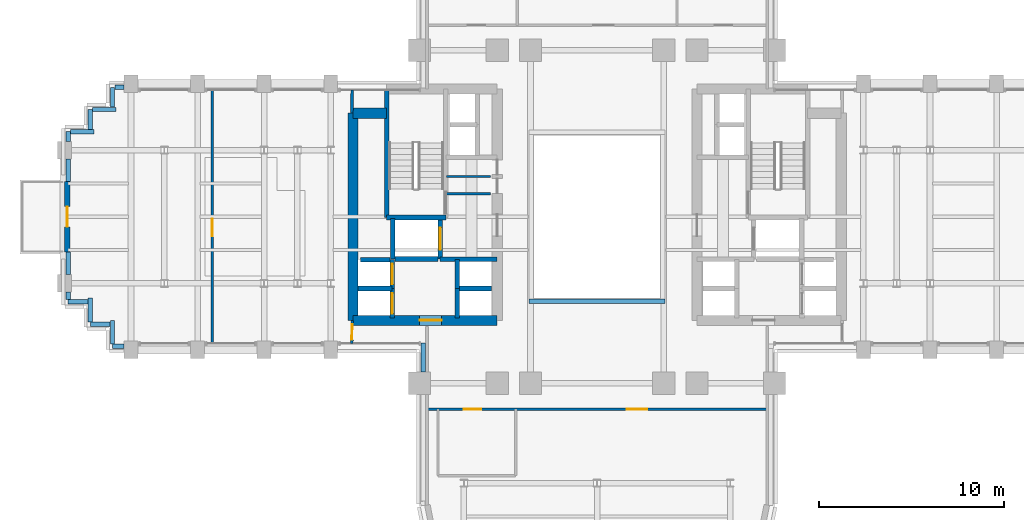
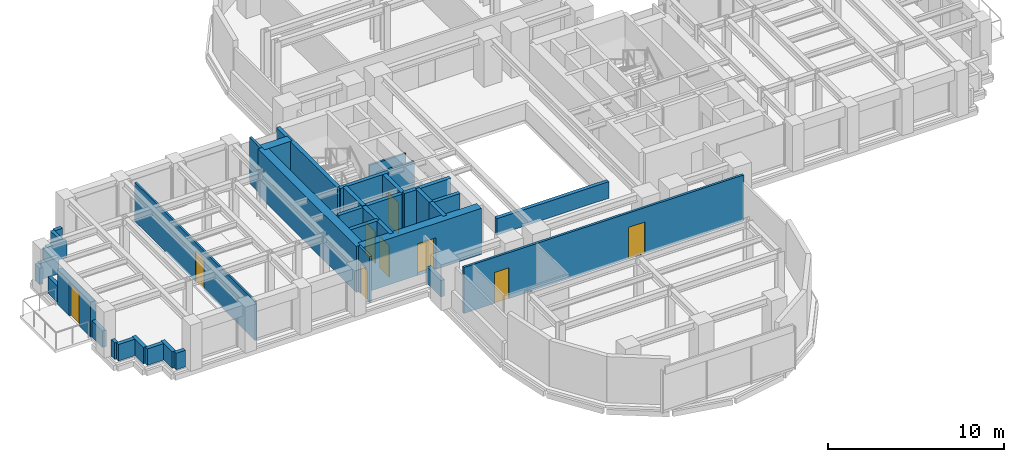
# One storey, part 10 of 15: 39 walls, 9 doors, 9 openings.
"""IFC4 building model written with IfcOpenShell, lengths in metres."""

import ifcopenshell
import ifcopenshell.guid

model = None  # the IFC model being written
_history = None  # IfcOwnerHistory: only IFC2X3 demands one
_inside = {}  # id of a spatial element -> (the spatial element, [elements in it])
_under = {}  # id of a project, library or spatial element -> (it, [spatial elements below it])
_declared = {}  # id of a project -> (the project, [libraries it declares])
_typed = {}  # id of a type object -> (the type object, [elements of that type])
_made_of = {}  # id of a material, layer set ... -> (it, [elements and type objects made of it])


def new_model(schema):
    """Start an empty IFC model of exactly this schema.

    Asked for "IFC4X3", IfcOpenShell would pick the latest addendum, in which some entities
    have other attributes; the version numbers below select the first issue.
    IFC2X3 requires an IfcOwnerHistory on every rooted entity: one is made here for all.
    """
    global model, _history
    if schema == "IFC4X3":
        model = ifcopenshell.file(schema_version=(4, 3, 0, 0))
    else:
        model = ifcopenshell.file(schema=schema)
    _inside.clear()
    _under.clear()
    _declared.clear()
    _typed.clear()
    _made_of.clear()
    _history = None
    if model.schema == "IFC2X3":
        org = make("IfcOrganization", Name="unknown")
        user = make(
            "IfcPersonAndOrganization",
            ThePerson=make("IfcPerson", FamilyName="unknown"),
            TheOrganization=org,
        )
        app = make(
            "IfcApplication",
            ApplicationDeveloper=org,
            Version="unknown",
            ApplicationFullName="unknown",
            ApplicationIdentifier="unknown",
        )
        _history = make(
            "IfcOwnerHistory",
            OwningUser=user,
            OwningApplication=app,
            ChangeAction="ADDED",
            CreationDate=0,
        )
    return model


def make(cls, **values):
    """One entity of the class cls with the attributes given. An attribute that is None is left unset."""
    return model.create_entity(
        cls, **{name: value for name, value in values.items() if value is not None}
    )


def rooted(cls, **values):
    """An entity with a GlobalId (a new one), such as an element, a storey or a relation."""
    return make(cls, GlobalId=ifcopenshell.guid.new(), OwnerHistory=_history, **values)


def si_unit(unit_type, name, prefix=None):
    """IfcSIUnit, for example si_unit("LENGTHUNIT", "METRE", prefix="MILLI")."""
    return make("IfcSIUnit", UnitType=unit_type, Prefix=prefix, Name=name)


def assignment(units):
    """IfcUnitAssignment: the units of a project."""
    return None if units is None else make("IfcUnitAssignment", Units=units)


def point(xyz):
    """IfcCartesianPoint."""
    return None if xyz is None else make("IfcCartesianPoint", Coordinates=xyz)


def direction(xyz):
    """IfcDirection."""
    return None if xyz is None else make("IfcDirection", DirectionRatios=xyz)


def frame(location, z_axis=None, x_axis=None):
    """IfcAxis2Placement3D, a coordinate frame: its origin and axes. An axis left out is left unset."""
    return make(
        "IfcAxis2Placement3D",
        Location=point(location),
        Axis=direction(z_axis),
        RefDirection=direction(x_axis),
    )


def frame_2d(location, x_axis=None):
    """IfcAxis2Placement2D, a coordinate frame in the plane: its origin and x axis."""
    return make(
        "IfcAxis2Placement2D", Location=point(location), RefDirection=direction(x_axis)
    )


def origin():
    """The frame at (0, 0, 0) with its axes left unset."""
    return frame((0.0, 0.0, 0.0))


def place(relative_to, where):
    """IfcLocalPlacement: puts the frame where relative to a parent placement (None: the world)."""
    return make(
        "IfcLocalPlacement", PlacementRelTo=relative_to, RelativePlacement=where
    )


def context(
    kind, dimensions, precision=None, world=None, true_north=None, identifier=None
):
    """IfcGeometricRepresentationContext, for example the 3D "Model" context."""
    return make(
        "IfcGeometricRepresentationContext",
        ContextIdentifier=identifier,
        ContextType=kind,
        CoordinateSpaceDimension=dimensions,
        Precision=precision,
        WorldCoordinateSystem=world,
        TrueNorth=true_north,
    )


def subcontext(parent, identifier, kind, view, scale=None):
    """IfcGeometricRepresentationSubContext, for example "Body" below "Model"."""
    return make(
        "IfcGeometricRepresentationSubContext",
        ContextIdentifier=identifier,
        ContextType=kind,
        ParentContext=parent,
        TargetScale=scale,
        TargetView=view,
    )


def project(units=None, contexts=None):
    """IfcProject with its units and contexts."""
    return rooted(
        "IfcProject",
        Name="project",
        RepresentationContexts=contexts,
        UnitsInContext=assignment(units),
    )


def spatial(cls, under=None, at=None, **own):
    """A site, building, storey or space (cls), placed at a placement, below another one or the project."""
    s = rooted(cls, ObjectPlacement=at, **own)
    if under is not None:
        _under.setdefault(under.id(), (under, []))[1].append(s)
    return s


def profile(cls, at=None, kind="AREA", **sizes):
    """A parametric profile (cls). Its sizes go by their IFC names, for example OverallWidth=200.0."""
    return make(cls, ProfileType=kind, Position=at, **sizes)


def rectangle(**sizes):
    """IfcRectangleProfileDef."""
    return profile("IfcRectangleProfileDef", **sizes)


def extrude(swept, where, along, depth):
    """IfcExtrudedAreaSolid: the profile swept, set in the frame where, extruded along a direction by depth."""
    return make(
        "IfcExtrudedAreaSolid",
        SweptArea=swept,
        Position=where,
        ExtrudedDirection=direction(along),
        Depth=depth,
    )


def shape(context_of_items, identifier, shape_type, items):
    """IfcShapeRepresentation: the items that make up one representation, for example the "Body"."""
    return make(
        "IfcShapeRepresentation",
        ContextOfItems=context_of_items,
        RepresentationIdentifier=identifier,
        RepresentationType=shape_type,
        Items=items,
    )


def source(mapping_origin, context_of_items, identifier, shape_type, items):
    """IfcRepresentationMap: a shape defined once, which mapped items show again and again."""
    return make(
        "IfcRepresentationMap",
        MappingOrigin=mapping_origin,
        MappedRepresentation=shape(context_of_items, identifier, shape_type, items),
    )


def transform(
    local_origin,
    x_axis=None,
    y_axis=None,
    z_axis=None,
    scale=None,
    scale2=None,
    scale3=None,
    uniform=True,
):
    """IfcCartesianTransformationOperator3D, or its non-uniform kind. x_axis, y_axis, z_axis: its Axis1, 2, 3."""
    if uniform:
        return make(
            "IfcCartesianTransformationOperator3D",
            Axis1=direction(x_axis),
            Axis2=direction(y_axis),
            LocalOrigin=point(local_origin),
            Scale=scale,
            Axis3=direction(z_axis),
        )
    return make(
        "IfcCartesianTransformationOperator3DnonUniform",
        Axis1=direction(x_axis),
        Axis2=direction(y_axis),
        LocalOrigin=point(local_origin),
        Scale=scale,
        Axis3=direction(z_axis),
        Scale2=scale2,
        Scale3=scale3,
    )


def mapped(mapping_source, mapping_target):
    """IfcMappedItem: shows the shape of a source again, moved by a transform."""
    return make(
        "IfcMappedItem", MappingSource=mapping_source, MappingTarget=mapping_target
    )


def material(Name=None, Category=None):
    """IfcMaterial."""
    return make("IfcMaterial", Name=Name, Category=Category)


def layer(
    of_material, thickness, ventilated=None, Name=None, Category=None, Priority=None
):
    """IfcMaterialLayer: one layer of a wall or slab, of a material (None: an air gap)."""
    return make(
        "IfcMaterialLayer",
        Material=of_material,
        LayerThickness=thickness,
        IsVentilated=ventilated,
        Name=Name,
        Category=Category,
        Priority=Priority,
    )


def layer_set(layers, Name=None):
    """IfcMaterialLayerSet."""
    return make("IfcMaterialLayerSet", MaterialLayers=layers, LayerSetName=Name)


def made_of(thing, what):
    """Note that an element or type object is made of a material, layer set ...; save() writes the relation."""
    if what is not None:
        _made_of.setdefault(what.id(), (what, []))[1].append(thing)
    return thing


def type_object(cls, material=None, **own):
    """A type object (cls), such as IfcWallType, which elements share."""
    return made_of(rooted(cls, **own), material)


def element(
    cls,
    number,
    at=None,
    inside=None,
    cuts=None,
    type_object=None,
    material=None,
    context=None,
    identifier="Body",
    shape_type=None,
    held_by="IfcProductDefinitionShape",
    body=None,
    shapes=None,
    **own,
):
    """One element of the class cls, such as IfcWall. Its Tag is "e" and its number.

    at: its placement. inside: the storey or other place that contains it. cuts: it is an
    opening in that element (IfcRelVoidsElement). A single representation is given by context,
    identifier, shape_type and body (its items); several are given by shapes. held_by: the class
    of the entity that holds the representations. save() writes the other relations.
    """
    e = rooted(cls, Tag="e%d" % number, ObjectPlacement=at, **own)
    if body is not None:
        shapes = [shape(context, identifier, shape_type, body)]
    if shapes is not None:
        e.Representation = make(held_by, Representations=shapes)
    if inside is not None:
        _inside.setdefault(inside.id(), (inside, []))[1].append(e)
    if cuts is not None:
        rooted(
            "IfcRelVoidsElement", RelatingBuildingElement=cuts, RelatedOpeningElement=e
        )
    if type_object is not None:
        _typed.setdefault(type_object.id(), (type_object, []))[1].append(e)
    return made_of(e, material)


def fill(opening, filler):
    """IfcRelFillsElement: the door or window that sits in an opening."""
    return rooted(
        "IfcRelFillsElement",
        RelatingOpeningElement=opening,
        RelatedBuildingElement=filler,
    )


def aggregate(whole, parts):
    """IfcRelAggregates: a whole, such as a stair, and the parts it consists of."""
    return rooted("IfcRelAggregates", RelatingObject=whole, RelatedObjects=parts)


def save(model, path):
    """Write the relations noted so far, then the file.

    IfcRelAggregates (storeys below a building ...), IfcRelContainedInSpatialStructure (elements
    in a storey), IfcRelDefinesByType, IfcRelAssociatesMaterial and IfcRelDeclares: one each for
    every whole, place, type object, material and project.
    """
    for whole, parts in _under.values():
        aggregate(whole, parts)
    for where, things in _inside.values():
        rooted(
            "IfcRelContainedInSpatialStructure",
            RelatedElements=things,
            RelatingStructure=where,
        )
    for kind, things in _typed.values():
        rooted("IfcRelDefinesByType", RelatedObjects=things, RelatingType=kind)
    for what, things in _made_of.values():
        rooted("IfcRelAssociatesMaterial", RelatedObjects=things, RelatingMaterial=what)
    for by, libraries in _declared.values():
        rooted("IfcRelDeclares", RelatingContext=by, RelatedDefinitions=libraries)
    model.write(path)


model = new_model("IFC4")

# Units and contexts
model_context = context("Model", 3, precision=1e-05, world=origin(), true_north=direction((0.0, 1.0)))
body_context = subcontext(model_context, "Body", "Model", "MODEL_VIEW")
ifc_project = project(units=[si_unit("LENGTHUNIT", "METRE"), si_unit("AREAUNIT", "SQUARE_METRE"), si_unit("VOLUMEUNIT", "CUBIC_METRE"), si_unit("PLANEANGLEUNIT", "RADIAN"), si_unit("MASSUNIT", "GRAM", prefix="KILO")], contexts=[model_context])

# Site, building, storey
site_placement = place(None, origin())
site = spatial("IfcSite", under=ifc_project, at=site_placement, CompositionType="ELEMENT")
building_placement = place(site_placement, origin())
building = spatial("IfcBuilding", under=site, at=building_placement, Name="Keilestroom Media Tower", CompositionType="ELEMENT")
storey_placement = place(building_placement, frame((0.0, 0.0, 40.800048828125)))
storey = spatial("IfcBuildingStorey", under=building, at=storey_placement, Name="L09", CompositionType="ELEMENT", Elevation=40.800048828125)

# Wall, opening, door
ifc_material_1 = material(Name="Precast concrete C40/50", Category="concrete")
ifc_layer_1 = layer(ifc_material_1, 0.300048828125)
ifc_layer_set_1 = layer_set([ifc_layer_1], Name="Precast concrete C40/50")
wall_type_1 = type_object("IfcWallType", Name="Exterior-Masonry-Spandrel-Wall-300", PredefinedType="SOLIDWALL", material=ifc_layer_set_1)
wall_1_placement = place(storey_placement, frame((-28.64990234375, -1.89990234375, 0.0), z_axis=(0.0, 0.0, 1.0), x_axis=(0.0, 1.0, 0.0)))
wall_1 = element("IfcWall", 1, at=wall_1_placement, inside=storey, type_object=wall_type_1, Name="L09 Terrace Threshold Wall L09-W", PredefinedType="SOLIDWALL", context=body_context, shape_type="SweptSolid", body=[
    extrude(rectangle(XDim=3.7998046875, YDim=0.300048828125, at=frame_2d((1.89990234375, 0.0))), origin(), (0.0, 0.0, 1.0), 2.449951171875),
])
opening_1_placement = place(wall_1_placement, frame((1.35009765625, 0.0, 0.0)))
opening_1 = element("IfcOpeningElement", 2, at=opening_1_placement, cuts=wall_1, Name="Opening DE-02", PredefinedType="OPENING", context=body_context, shape_type="SweptSolid", body=[
    extrude(rectangle(XDim=1.10009765625, YDim=2.300048828125, at=frame_2d((0.550048828125, 1.14990234375))), frame((0.0, 0.16015625, 0.0), z_axis=(0.0, -1.0, 0.0), x_axis=(1.0, 0.0, 0.0)), (0.0, 0.0, 1.0), 0.320068359375),
])
ifc_material_2 = material(Name="Thermally Broken Aluminium & Laminated Glass", Category="aluminium")
door_type_1 = type_object("IfcDoorType", Name="Exterior-Entrance-And-Terrace-Door-DE-02", OperationType="NOTDEFINED", PredefinedType="DOOR", material=ifc_material_2)
shared_shape_1 = source(origin(), body_context, "Body", "SweptSolid", [
    extrude(rectangle(XDim=1.10009765625, YDim=2.300048828125, at=frame_2d((0.550048828125, 1.14990234375))), frame((0.0, 0.02490234375, 0.0), z_axis=(0.0, -1.0, 0.0), x_axis=(1.0, 0.0, 0.0)), (0.0, 0.0, 1.0), 0.050048828125),
])
door_1_placement = place(opening_1_placement, origin())
door_1 = element("IfcDoor", 3, at=door_1_placement, inside=storey, type_object=door_type_1, Name="L09 Terrace Access Door DE-02 L09-W", OperationType="SINGLE_SWING_LEFT", OverallHeight=2.300048828125, OverallWidth=1.10009765625, PredefinedType="DOOR", context=body_context, shape_type="MappedRepresentation", body=[
    mapped(shared_shape_1, transform((0.0, 0.0, 0.0), x_axis=(1.0, 0.0, 0.0), y_axis=(0.0, 1.0, 0.0), z_axis=(0.0, 0.0, 1.0), scale=1.0)),
])
fill(opening_1, door_1)

# Wall
ifc_material_3 = material(Name="Gypsum Plasterboard & Steel Stud", Category="steel")
ifc_layer_2 = layer(ifc_material_3, 0.1201171875)
ifc_layer_set_2 = layer_set([ifc_layer_2], Name="Gypsum Plasterboard & Steel Stud")
wall_type_2 = type_object("IfcWallType", Name="Interior-Partition-Wall-120", PredefinedType="PARTITIONING", material=ifc_layer_set_2)
wall_2_placement = place(storey_placement, frame((-8.139892578125, 2.179931640625, 0.0), z_axis=(0.0, 0.0, 1.0), x_axis=(1.0, 0.0, 0.0)))
element("IfcWall", 4, at=wall_2_placement, inside=storey, type_object=wall_type_2, Name="L09 Interior Wall WP-L09-CNW-N", PredefinedType="PARTITIONING", context=body_context, shape_type="SweptSolid", body=[
    extrude(rectangle(XDim=2.389892578125, YDim=0.1201171875, at=frame_2d((1.19482421875, 0.0))), origin(), (0.0, 0.0, 1.0), 2.300048828125),
])

# Wall, opening, door
wall_3_placement = place(storey_placement, frame((-20.800048828125, -6.85009765625, 0.0), z_axis=(0.0, 0.0, 1.0), x_axis=(0.0, 1.0, 0.0)))
wall_3 = element("IfcWall", 5, at=wall_3_placement, inside=storey, type_object=wall_type_2, Name="L09 Interior Wall WP-L09-WA-V", PredefinedType="PARTITIONING", context=body_context, shape_type="SweptSolid", body=[
    extrude(rectangle(XDim=13.7001953125, YDim=0.1201171875, at=frame_2d((6.85009765625, 0.0))), origin(), (0.0, 0.0, 1.0), 2.7099609375),
])
opening_2_placement = place(wall_3_placement, frame((5.800048828125, 0.0, 0.0)))
opening_2 = element("IfcOpeningElement", 6, at=opening_2_placement, cuts=wall_3, Name="Opening DI-03", PredefinedType="OPENING", context=body_context, shape_type="SweptSolid", body=[
    extrude(rectangle(XDim=0.949951171875, YDim=2.14990234375, at=frame_2d((0.47509765625, 1.074951171875))), frame((0.0, 0.070068359375, 0.0), z_axis=(0.0, -1.0, 0.0), x_axis=(1.0, 0.0, 0.0)), (0.0, 0.0, 1.0), 0.14013671875),
])
ifc_material_4 = material(Name="Lacquered European Oak Leaf", Category="wood")
door_type_2 = type_object("IfcDoorType", Name="Interior-Room-And-Suite-Door-DI-03", OperationType="NOTDEFINED", PredefinedType="DOOR", material=ifc_material_4)
shared_shape_2 = source(origin(), body_context, "Body", "SweptSolid", [
    extrude(rectangle(XDim=0.949951171875, YDim=2.14990234375, at=frame_2d((0.47509765625, 1.074951171875))), frame((0.0, 0.02490234375, 0.0), z_axis=(0.0, -1.0, 0.0), x_axis=(1.0, 0.0, 0.0)), (0.0, 0.0, 1.0), 0.050048828125),
])
door_2_placement = place(opening_2_placement, origin())
door_2 = element("IfcDoor", 7, at=door_2_placement, inside=storey, type_object=door_type_2, Name="L09 Interior Door DI-L09-DWA-W", OperationType="SINGLE_SWING_LEFT", OverallHeight=2.14990234375, OverallWidth=0.949951171875, PredefinedType="DOOR", context=body_context, shape_type="MappedRepresentation", body=[
    mapped(shared_shape_2, transform((0.0, 0.0, 0.0), x_axis=(1.0, 0.0, 0.0), y_axis=(0.0, 1.0, 0.0), z_axis=(0.0, 0.0, 1.0), scale=1.0)),
])
fill(opening_2, door_2)

# Wall
ifc_layer_3 = layer(ifc_material_3, 0.14990234375)
ifc_layer_set_3 = layer_set([ifc_layer_3], Name="Gypsum Plasterboard & Steel Stud")
wall_type_3 = type_object("IfcWallType", Name="Interior-Partition-Wall-150", PredefinedType="PARTITIONING", material=ifc_layer_set_3)
wall_4_placement = place(storey_placement, frame((-8.139892578125, 1.239990234375, 0.0), z_axis=(0.0, 0.0, 1.0), x_axis=(1.0, 0.0, 0.0)))
element("IfcWall", 8, at=wall_4_placement, inside=storey, type_object=wall_type_3, Name="L09 Interior Wall WP-L09-FFW-TOP", PredefinedType="PARTITIONING", context=body_context, shape_type="SweptSolid", body=[
    extrude(rectangle(XDim=2.389892578125, YDim=0.14990234375, at=frame_2d((1.19482421875, 0.0))), origin(), (0.0, 0.0, 1.0), 2.300048828125),
])

# Wall, openings, doors
wall_5_placement = place(storey_placement, frame((-9.199951171875, -10.39990234375, 0.0), z_axis=(0.0, 0.0, 1.0), x_axis=(1.0, 0.0, 0.0)))
wall_5 = element("IfcWall", 9, at=wall_5_placement, inside=storey, type_object=wall_type_3, Name="L09 Interior Wall WP-L09-SL-BASE", PredefinedType="PARTITIONING", context=body_context, shape_type="SweptSolid", body=[
    extrude(rectangle(XDim=18.39990234375, YDim=0.14990234375, at=frame_2d((9.199951171875, 0.0))), origin(), (0.0, 0.0, 1.0), 3.199951171875),
])
opening_3_placement = place(wall_5_placement, frame((2.0, 0.0, 0.0)))
opening_3 = element("IfcOpeningElement", 10, at=opening_3_placement, cuts=wall_5, Name="Opening DI-03", PredefinedType="OPENING", context=body_context, shape_type="SweptSolid", body=[
    extrude(rectangle(XDim=0.949951171875, YDim=2.14990234375, at=frame_2d((0.47509765625, 1.074951171875))), frame((0.0, 0.0849609375, 0.0), z_axis=(0.0, -1.0, 0.0), x_axis=(1.0, 0.0, 0.0)), (0.0, 0.0, 1.0), 0.169921875),
])
opening_4_placement = place(wall_5_placement, frame((10.800048828125, 0.0, 0.0)))
opening_4 = element("IfcOpeningElement", 11, at=opening_4_placement, cuts=wall_5, Name="Opening DI-04", PredefinedType="OPENING", context=body_context, shape_type="SweptSolid", body=[
    extrude(rectangle(XDim=1.10009765625, YDim=2.199951171875, at=frame_2d((0.550048828125, 1.10009765625))), frame((0.0, 0.0849609375, 0.0), z_axis=(0.0, -1.0, 0.0), x_axis=(1.0, 0.0, 0.0)), (0.0, 0.0, 1.0), 0.169921875),
])
door_3_placement = place(opening_3_placement, origin())
door_3 = element("IfcDoor", 12, at=door_3_placement, inside=storey, type_object=door_type_2, Name="L09 Interior Door DI-L09-DSL-WC4", OperationType="SINGLE_SWING_RIGHT", OverallHeight=2.14990234375, OverallWidth=0.949951171875, PredefinedType="DOOR", context=body_context, shape_type="MappedRepresentation", body=[
    mapped(shared_shape_2, transform((0.0, 0.0, 0.0), x_axis=(1.0, 0.0, 0.0), y_axis=(0.0, 1.0, 0.0), z_axis=(0.0, 0.0, 1.0), scale=1.0)),
])
fill(opening_3, door_3)
ifc_material_5 = material(Name="Acoustic Glazed Aluminium Leaf", Category="aluminium")
door_type_3 = type_object("IfcDoorType", Name="Interior-Room-And-Suite-Door-DI-04", OperationType="NOTDEFINED", PredefinedType="DOOR", material=ifc_material_5)
shared_shape_3 = source(origin(), body_context, "Body", "SweptSolid", [
    extrude(rectangle(XDim=1.10009765625, YDim=2.199951171875, at=frame_2d((0.550048828125, 1.10009765625))), frame((0.0, 0.02490234375, 0.0), z_axis=(0.0, -1.0, 0.0), x_axis=(1.0, 0.0, 0.0)), (0.0, 0.0, 1.0), 0.050048828125),
])
door_4_placement = place(opening_4_placement, origin())
door_4 = element("IfcDoor", 13, at=door_4_placement, inside=storey, type_object=door_type_3, Name="L09 Interior Door DI-L09-DSL-RR", OperationType="SINGLE_SWING_LEFT", OverallHeight=2.199951171875, OverallWidth=1.10009765625, PredefinedType="DOOR", context=body_context, shape_type="MappedRepresentation", body=[
    mapped(shared_shape_3, transform((0.0, 0.0, 0.0), x_axis=(1.0, 0.0, 0.0), y_axis=(0.0, 1.0, 0.0), z_axis=(0.0, 0.0, 1.0), scale=1.0)),
])
fill(opening_4, door_4)

# Wall
wall_6_placement = place(storey_placement, frame((-13.260009765625, 5.60009765625, 0.0), z_axis=(0.0, 0.0, 1.0), x_axis=(0.016013571389, 0.999871774545, 0.0)))
element("IfcWall", 14, at=wall_6_placement, inside=storey, type_object=wall_type_3, Name="L09 Interior Wall WP-L09-WA-ENTN", PredefinedType="PARTITIONING", context=body_context, shape_type="SweptSolid", body=[
    extrude(rectangle(XDim=1.250244140625, YDim=0.14990234375, at=frame_2d((0.625, 0.0))), origin(), (0.0, 0.0, 1.0), 3.199951171875),
])

# Wall, opening, door
wall_7_placement = place(storey_placement, frame((-13.260009765625, -6.85009765625, 0.0), z_axis=(0.0, 0.0, 1.0), x_axis=(0.016013571389, 0.999871774545, 0.0)))
wall_7 = element("IfcWall", 15, at=wall_7_placement, inside=storey, type_object=wall_type_3, Name="L09 Interior Wall WP-L09-WA-ENTS", PredefinedType="PARTITIONING", context=body_context, shape_type="SweptSolid", body=[
    extrude(rectangle(XDim=1.250244140625, YDim=0.14990234375, at=frame_2d((0.625, 0.0))), origin(), (0.0, 0.0, 1.0), 3.199951171875),
])
opening_5_placement = place(wall_7_placement, frame((0.199951171875, 0.0, 0.0)))
opening_5 = element("IfcOpeningElement", 16, at=opening_5_placement, cuts=wall_7, Name="Opening DI-05", PredefinedType="OPENING", context=body_context, shape_type="SweptSolid", body=[
    extrude(rectangle(XDim=0.85009765625, YDim=2.10009765625, at=frame_2d((0.425048828125, 1.050048828125))), frame((0.0, 0.0849609375, 0.0), z_axis=(0.0, -1.0, 0.0), x_axis=(1.0, 0.0, 0.0)), (0.0, 0.0, 1.0), 0.169921875),
])
ifc_material_6 = material(Name="Moisture-Resistant Oak Leaf", Category="wood")
door_type_4 = type_object("IfcDoorType", Name="Interior-En-Suite-And-Cupboard-Door-DI-05", OperationType="NOTDEFINED", PredefinedType="DOOR", material=ifc_material_6)
shared_shape_4 = source(origin(), body_context, "Body", "SweptSolid", [
    extrude(rectangle(XDim=0.85009765625, YDim=2.10009765625, at=frame_2d((0.425048828125, 1.050048828125))), frame((0.0, 0.02490234375, 0.0), z_axis=(0.0, -1.0, 0.0), x_axis=(1.0, 0.0, 0.0)), (0.0, 0.0, 1.0), 0.050048828125),
])
door_5_placement = place(opening_5_placement, origin())
door_5 = element("IfcDoor", 17, at=door_5_placement, inside=storey, type_object=door_type_4, Name="L09 Interior Door DI-L09-DWA-E", OperationType="SINGLE_SWING_RIGHT", OverallHeight=2.10009765625, OverallWidth=0.85009765625, PredefinedType="DOOR", context=body_context, shape_type="MappedRepresentation", body=[
    mapped(shared_shape_4, transform((0.0, 0.0, 0.0), x_axis=(1.0, 0.0, 0.0), y_axis=(0.0, 1.0, 0.0), z_axis=(0.0, 0.0, 1.0), scale=1.0)),
])
fill(opening_5, door_5)

# Walls
ifc_material_7 = material(Name="Concrete C70/85", Category="concrete")
ifc_layer_4 = layer(ifc_material_7, 0.550048828125)
ifc_layer_set_4 = layer_set([ifc_layer_4], Name="Concrete C70/85")
wall_type_4 = type_object("IfcWallType", Name="Reinforced-Concrete-Core-Shear-Wall-550", PredefinedType="SHEAR", material=ifc_layer_set_4)
wall_8_placement = place(storey_placement, frame((-13.199951171875, -5.60009765625, 0.0), z_axis=(0.0, 0.0, 1.0), x_axis=(0.0, 1.0, 0.0)))
element("IfcWall", 18, at=wall_8_placement, inside=storey, type_object=wall_type_4, Name="L09 Core Shear Wall WL-L09-CORE-W-OUT", PredefinedType="SHEAR", context=body_context, shape_type="SweptSolid", body=[
    extrude(rectangle(XDim=11.2001953125, YDim=0.550048828125, at=frame_2d((5.60009765625, 0.0))), origin(), (0.0, 0.0, 1.0), 3.199951171875),
])
wall_9_placement = place(storey_placement, frame((-13.199951171875, 5.60009765625, 0.0), z_axis=(0.0, 0.0, 1.0), x_axis=(1.0, 0.0, 0.0)))
element("IfcWall", 19, at=wall_9_placement, inside=storey, type_object=wall_type_4, Name="L09 Core Shear Wall WL-L09-CNW-N", PredefinedType="SHEAR", context=body_context, shape_type="SweptSolid", body=[
    extrude(rectangle(XDim=1.81884765625, YDim=0.550048828125, at=frame_2d((0.909423828125, 0.0))), origin(), (0.0, 0.0, 1.0), 3.199951171875),
])

# Wall, opening, door
wall_10_placement = place(storey_placement, frame((-13.199951171875, -5.60009765625, 0.0), z_axis=(0.0, 0.0, 1.0), x_axis=(1.0, 0.0, 0.0)))
wall_10 = element("IfcWall", 20, at=wall_10_placement, inside=storey, type_object=wall_type_4, Name="L09 Core Shear Wall WL-L09-CORE-W-S", PredefinedType="SHEAR", context=body_context, shape_type="SweptSolid", body=[
    extrude(rectangle(XDim=7.800048828125, YDim=0.550048828125, at=frame_2d((3.89990234375, 0.0))), origin(), (0.0, 0.0, 1.0), 3.199951171875),
])
opening_6_placement = place(wall_10_placement, frame((3.60009765625, 0.0, 0.0)))
opening_6 = element("IfcOpeningElement", 21, at=opening_6_placement, cuts=wall_10, Name="Opening DI-02", PredefinedType="OPENING", context=body_context, shape_type="SweptSolid", body=[
    extrude(rectangle(XDim=1.199951171875, YDim=2.199951171875, at=frame_2d((0.60009765625, 1.10009765625))), frame((0.0, 0.28515625, 0.0), z_axis=(0.0, -1.0, 0.0), x_axis=(1.0, 0.0, 0.0)), (0.0, 0.0, 1.0), 0.570068359375),
])
ifc_material_8 = material(Name="Powder-Coated Steel Fire Leaf", Category="steel")
door_type_5 = type_object("IfcDoorType", Name="Interior-Compartment-Fire-Door-DI-02", OperationType="NOTDEFINED", PredefinedType="DOOR", material=ifc_material_8)
shared_shape_5 = source(origin(), body_context, "Body", "SweptSolid", [
    extrude(rectangle(XDim=1.199951171875, YDim=2.199951171875, at=frame_2d((0.60009765625, 1.10009765625))), frame((0.0, 0.02490234375, 0.0), z_axis=(0.0, -1.0, 0.0), x_axis=(1.0, 0.0, 0.0)), (0.0, 0.0, 1.0), 0.050048828125),
])
door_6_placement = place(opening_6_placement, origin())
door_6 = element("IfcDoor", 22, at=door_6_placement, inside=storey, type_object=door_type_5, Name="L09 W Passenger Lift Lobby Door", OperationType="SINGLE_SWING_LEFT", OverallHeight=2.199951171875, OverallWidth=1.199951171875, PredefinedType="DOOR", context=body_context, shape_type="MappedRepresentation", body=[
    mapped(shared_shape_5, transform((0.0, 0.0, 0.0), x_axis=(1.0, 0.0, 0.0), y_axis=(0.0, 1.0, 0.0), z_axis=(0.0, 0.0, 1.0), scale=1.0)),
])
fill(opening_6, door_6)

# Walls
ifc_material_9 = material(Name="Concrete C50/60", Category="concrete")
ifc_layer_5 = layer(ifc_material_9, 0.25)
ifc_layer_set_5 = layer_set([ifc_layer_5], Name="Concrete C50/60")
wall_type_5 = type_object("IfcWallType", Name="Reinforced-Concrete-Shaft-Wall-250", PredefinedType="SOLIDWALL", material=ifc_layer_set_5)
wall_11_placement = place(storey_placement, frame((-8.47998046875, -2.300048828125, 0.0), z_axis=(0.0, 0.0, 1.0), x_axis=(1.0, 0.0, 0.0)))
element("IfcWall", 23, at=wall_11_placement, inside=storey, type_object=wall_type_5, Name="L09 Core Shear Wall WL-L09-CORE-W-FFS", PredefinedType="SOLIDWALL", context=body_context, shape_type="SweptSolid", body=[
    extrude(rectangle(XDim=3.080078125, YDim=0.25, at=frame_2d((1.5400390625, 0.0))), origin(), (0.0, 0.0, 1.0), 3.199951171875),
])
wall_12_placement = place(storey_placement, frame((-11.381103515625, -0.041015625, 0.0), z_axis=(0.0, 0.0, 1.0), x_axis=(0.0, 1.0, 0.0)))
element("IfcWall", 24, at=wall_12_placement, inside=storey, type_object=wall_type_5, Name="L09 Core Shear Wall WL-L09-STW-W-FAR", PredefinedType="SOLIDWALL", context=body_context, shape_type="SweptSolid", body=[
    extrude(rectangle(XDim=6.94091796875, YDim=0.25, at=frame_2d((3.470458984375, 0.0))), origin(), (0.0, 0.0, 1.0), 3.199951171875),
])
wall_13_placement = place(storey_placement, frame((-11.381103515625, -0.041015625, 0.0), z_axis=(0.0, 0.0, 1.0), x_axis=(1.0, 0.0, 0.0)))
element("IfcWall", 25, at=wall_13_placement, inside=storey, type_object=wall_type_5, Name="L09 Core Shear Wall WL-L09-STW-W-S", PredefinedType="SOLIDWALL", context=body_context, shape_type="SweptSolid", body=[
    extrude(rectangle(XDim=3.2021484375, YDim=0.25, at=frame_2d((1.60107421875, 0.0))), origin(), (0.0, 0.0, 1.0), 3.199951171875),
])
wall_14_placement = place(storey_placement, frame((-11.050048828125, -2.280029296875, 0.0), z_axis=(0.0, 0.0, 1.0), x_axis=(0.0, 1.0, 0.0)))
element("IfcWall", 26, at=wall_14_placement, inside=storey, type_object=wall_type_5, Name="L09 Core Shear Wall WL-L09-LSH-FFL-1-W", PredefinedType="SOLIDWALL", context=body_context, shape_type="SweptSolid", body=[
    extrude(rectangle(XDim=2.179931640625, YDim=0.25, at=frame_2d((1.08984375, 0.0))), origin(), (0.0, 0.0, 1.0), 3.199951171875),
])

# Wall, opening, door
wall_15_placement = place(storey_placement, frame((-8.47998046875, -2.280029296875, 0.0), z_axis=(0.0, 0.0, 1.0), x_axis=(0.0, 1.0, 0.0)))
wall_15 = element("IfcWall", 27, at=wall_15_placement, inside=storey, type_object=wall_type_5, Name="L09 Core Shear Wall WL-L09-LSH-FFL-1-E", PredefinedType="SOLIDWALL", context=body_context, shape_type="SweptSolid", body=[
    extrude(rectangle(XDim=2.179931640625, YDim=0.25, at=frame_2d((1.08984375, 0.0))), origin(), (0.0, 0.0, 1.0), 3.199951171875),
])
opening_7_placement = place(wall_15_placement, frame((0.489990234375, 0.0, 0.0)))
opening_7 = element("IfcOpeningElement", 28, at=opening_7_placement, cuts=wall_15, Name="Opening LD-02", PredefinedType="OPENING", context=body_context, shape_type="SweptSolid", body=[
    extrude(rectangle(XDim=1.199951171875, YDim=2.199951171875, at=frame_2d((0.60009765625, 1.10009765625))), frame((0.0, 0.135009765625, 0.0), z_axis=(0.0, -1.0, 0.0), x_axis=(1.0, 0.0, 0.0)), (0.0, 0.0, 1.0), 0.27001953125),
])
ifc_material_10 = material(Name="Brushed Stainless Steel Sliding Leaf", Category="steel")
door_type_6 = type_object("IfcDoorType", Name="Lift-Landing-Sliding-Door-LD-02", OperationType="SLIDING_TO_RIGHT", PredefinedType="DOOR", material=ifc_material_10)
door_7_placement = place(opening_7_placement, origin())
door_7 = element("IfcDoor", 29, at=door_7_placement, inside=storey, type_object=door_type_6, Name="L09 Lift FFL-1 Landing Sliding Door", OperationType="SLIDING_TO_RIGHT", OverallHeight=2.199951171875, OverallWidth=1.199951171875, PredefinedType="DOOR", context=body_context, shape_type="MappedRepresentation", body=[
    mapped(shared_shape_5, transform((0.0, 0.0, 0.0), x_axis=(1.0, 0.0, 0.0), y_axis=(0.0, 1.0, 0.0), z_axis=(0.0, 0.0, 1.0), scale=1.0)),
])
fill(opening_7, door_7)

# Wall
wall_16_placement = place(storey_placement, frame((-10.9208984375, -2.280029296875, 0.0), z_axis=(0.0, 0.0, 1.0), x_axis=(1.0, 0.0, 0.0)))
element("IfcWall", 30, at=wall_16_placement, inside=storey, type_object=wall_type_5, Name="L09 Core Shear Wall WL-L09-LSH-FFL-1-S", PredefinedType="SOLIDWALL", context=body_context, shape_type="SweptSolid", body=[
    extrude(rectangle(XDim=2.31201171875, YDim=0.25, at=frame_2d((1.156005859375, 0.0))), origin(), (0.0, 0.0, 1.0), 3.199951171875),
])

# Wall, opening, door
wall_17_placement = place(storey_placement, frame((-11.080078125, -5.47998046875, 0.0), z_axis=(0.0, 0.0, 1.0), x_axis=(0.0, 1.0, 0.0)))
wall_17 = element("IfcWall", 31, at=wall_17_placement, inside=storey, type_object=wall_type_5, Name="L09 Core Shear Wall WL-L09-LSH-PL-L1-E", PredefinedType="SOLIDWALL", context=body_context, shape_type="SweptSolid", body=[
    extrude(rectangle(XDim=1.60009765625, YDim=0.25, at=frame_2d((0.800048828125, 0.0))), origin(), (0.0, 0.0, 1.0), 3.199951171875),
])
opening_8_placement = place(wall_17_placement, frame((0.25, 0.0, 0.0)))
opening_8 = element("IfcOpeningElement", 32, at=opening_8_placement, cuts=wall_17, Name="Opening LD-01", PredefinedType="OPENING", context=body_context, shape_type="SweptSolid", body=[
    extrude(rectangle(XDim=1.10009765625, YDim=2.199951171875, at=frame_2d((0.550048828125, 1.10009765625))), frame((0.0, 0.135009765625, 0.0), z_axis=(0.0, -1.0, 0.0), x_axis=(1.0, 0.0, 0.0)), (0.0, 0.0, 1.0), 0.27001953125),
])
door_type_7 = type_object("IfcDoorType", Name="Lift-Landing-Sliding-Door-LD-01", OperationType="SLIDING_TO_LEFT", PredefinedType="DOOR", material=ifc_material_10)
door_8_placement = place(opening_8_placement, origin())
door_8 = element("IfcDoor", 33, at=door_8_placement, inside=storey, type_object=door_type_7, Name="L09 Lift PL-L1 Landing Sliding Door", OperationType="SLIDING_TO_LEFT", OverallHeight=2.199951171875, OverallWidth=1.10009765625, PredefinedType="DOOR", context=body_context, shape_type="MappedRepresentation", body=[
    mapped(shared_shape_3, transform((0.0, 0.0, 0.0), x_axis=(1.0, 0.0, 0.0), y_axis=(0.0, 1.0, 0.0), z_axis=(0.0, 0.0, 1.0), scale=1.0)),
])
fill(opening_8, door_8)

# Wall
wall_18_placement = place(storey_placement, frame((-12.919921875, -3.8798828125, 0.0), z_axis=(0.0, 0.0, 1.0), x_axis=(1.0, 0.0, 0.0)))
element("IfcWall", 34, at=wall_18_placement, inside=storey, type_object=wall_type_5, Name="L09 Core Shear Wall WL-L09-LSH-PL-L1-N", PredefinedType="SOLIDWALL", context=body_context, shape_type="SweptSolid", body=[
    extrude(rectangle(XDim=1.83984375, YDim=0.25, at=frame_2d((0.919921875, 0.0))), origin(), (0.0, 0.0, 1.0), 3.199951171875),
])

# Wall, opening, door
wall_19_placement = place(storey_placement, frame((-11.080078125, -3.8798828125, 0.0), z_axis=(0.0, 0.0, 1.0), x_axis=(0.0, 1.0, 0.0)))
wall_19 = element("IfcWall", 35, at=wall_19_placement, inside=storey, type_object=wall_type_5, Name="L09 Core Shear Wall WL-L09-LSH-PL-L2-E", PredefinedType="SOLIDWALL", context=body_context, shape_type="SweptSolid", body=[
    extrude(rectangle(XDim=1.559814453125, YDim=0.25, at=frame_2d((0.77978515625, 0.0))), origin(), (0.0, 0.0, 1.0), 3.199951171875),
])
opening_9_placement = place(wall_19_placement, frame((0.22998046875, 0.0, 0.0)))
opening_9 = element("IfcOpeningElement", 36, at=opening_9_placement, cuts=wall_19, Name="Opening LD-01", PredefinedType="OPENING", context=body_context, shape_type="SweptSolid", body=[
    extrude(rectangle(XDim=1.10009765625, YDim=2.199951171875, at=frame_2d((0.550048828125, 1.10009765625))), frame((0.0, 0.135009765625, 0.0), z_axis=(0.0, -1.0, 0.0), x_axis=(1.0, 0.0, 0.0)), (0.0, 0.0, 1.0), 0.27001953125),
])
door_9_placement = place(opening_9_placement, origin())
door_9 = element("IfcDoor", 37, at=door_9_placement, inside=storey, type_object=door_type_7, Name="L09 Lift PL-L2 Landing Sliding Door", OperationType="SLIDING_TO_LEFT", OverallHeight=2.199951171875, OverallWidth=1.10009765625, PredefinedType="DOOR", context=body_context, shape_type="MappedRepresentation", body=[
    mapped(shared_shape_3, transform((0.0, 0.0, 0.0), x_axis=(1.0, 0.0, 0.0), y_axis=(0.0, 1.0, 0.0), z_axis=(0.0, 0.0, 1.0), scale=1.0)),
])
fill(opening_9, door_9)

# Walls
wall_20_placement = place(storey_placement, frame((-12.791015625, -2.320068359375, 0.0), z_axis=(0.0, 0.0, 1.0), x_axis=(1.0, 0.0, 0.0)))
element("IfcWall", 38, at=wall_20_placement, inside=storey, type_object=wall_type_5, Name="L09 Core Shear Wall WL-L09-LSH-PL-L2-N", PredefinedType="SOLIDWALL", context=body_context, shape_type="SweptSolid", body=[
    extrude(rectangle(XDim=1.58203125, YDim=0.25, at=frame_2d((0.791015625, 0.0))), origin(), (0.0, 0.0, 1.0), 3.199951171875),
])
wall_21_placement = place(storey_placement, frame((-7.56005859375, -5.47998046875, 0.0), z_axis=(0.0, 0.0, 1.0), x_axis=(0.0, 1.0, 0.0)))
element("IfcWall", 39, at=wall_21_placement, inside=storey, type_object=wall_type_5, Name="L09 Core Shear Wall WL-L09-LSH-PL-M1-W", PredefinedType="SOLIDWALL", context=body_context, shape_type="SweptSolid", body=[
    extrude(rectangle(XDim=1.60009765625, YDim=0.25, at=frame_2d((0.800048828125, 0.0))), origin(), (0.0, 0.0, 1.0), 3.199951171875),
])
wall_22_placement = place(storey_placement, frame((-7.56005859375, -3.8798828125, 0.0), z_axis=(0.0, 0.0, 1.0), x_axis=(1.0, 0.0, 0.0)))
element("IfcWall", 40, at=wall_22_placement, inside=storey, type_object=wall_type_5, Name="L09 Core Shear Wall WL-L09-LSH-PL-M1-N", PredefinedType="SOLIDWALL", context=body_context, shape_type="SweptSolid", body=[
    extrude(rectangle(XDim=1.840087890625, YDim=0.25, at=frame_2d((0.919921875, 0.0))), origin(), (0.0, 0.0, 1.0), 3.199951171875),
])
wall_23_placement = place(storey_placement, frame((-7.56005859375, -3.8798828125, 0.0), z_axis=(0.0, 0.0, 1.0), x_axis=(0.0, 1.0, 0.0)))
element("IfcWall", 41, at=wall_23_placement, inside=storey, type_object=wall_type_5, Name="L09 Core Shear Wall WL-L09-LSH-PL-M2-W", PredefinedType="SOLIDWALL", context=body_context, shape_type="SweptSolid", body=[
    extrude(rectangle(XDim=1.559814453125, YDim=0.25, at=frame_2d((0.77978515625, 0.0))), origin(), (0.0, 0.0, 1.0), 3.199951171875),
])
ifc_layer_6 = layer(ifc_material_1, 0.239990234375)
ifc_layer_set_6 = layer_set([ifc_layer_6], Name="Precast concrete C40/50")
wall_type_6 = type_object("IfcWallType", Name="Roof-And-Terrace-Parapet-Wall-240", PredefinedType="PARAPET", material=ifc_layer_set_6)
wall_24_placement = place(storey_placement, frame((-9.39990234375, -8.39697265625, 0.0), z_axis=(0.0, 0.0, 1.0), x_axis=(0.0, 1.0, 0.0)))
element("IfcWall", 42, at=wall_24_placement, inside=storey, type_object=wall_type_6, Name="L09 Perimeter Edge Parapet Wall 11", PredefinedType="PARAPET", context=body_context, shape_type="SweptSolid", body=[
    extrude(rectangle(XDim=1.578125, YDim=0.239990234375, at=frame_2d((0.7890625, 0.0))), origin(), (0.0, 0.0, 1.0), 1.14990234375),
])
wall_25_placement = place(storey_placement, frame((-25.577880859375, -7.0, 0.0), z_axis=(0.0, 0.0, 1.0), x_axis=(-1.0, 0.0, 0.0)))
element("IfcWall", 43, at=wall_25_placement, inside=storey, type_object=wall_type_6, Name="L09 Perimeter Edge Parapet Wall 12", PredefinedType="PARAPET", context=body_context, shape_type="SweptSolid", body=[
    extrude(rectangle(XDim=0.6220703125, YDim=0.239990234375, at=frame_2d((0.31103515625, 0.0))), origin(), (0.0, 0.0, 1.0), 1.14990234375),
])
wall_26_placement = place(storey_placement, frame((-26.199951171875, -6.876953125, 0.0), z_axis=(0.0, 0.0, 1.0), x_axis=(0.0, 1.0, 0.0)))
element("IfcWall", 44, at=wall_26_placement, inside=storey, type_object=wall_type_6, Name="L09 Perimeter Edge Parapet Wall 13", PredefinedType="PARAPET", context=body_context, shape_type="SweptSolid", body=[
    extrude(rectangle(XDim=1.27685546875, YDim=0.239990234375, at=frame_2d((0.638427734375, 0.0))), origin(), (0.0, 0.0, 1.0), 1.14990234375),
])
wall_27_placement = place(storey_placement, frame((-26.322998046875, -5.800048828125, 0.0), z_axis=(0.0, 0.0, 1.0), x_axis=(-1.0, 0.0, 0.0)))
element("IfcWall", 45, at=wall_27_placement, inside=storey, type_object=wall_type_6, Name="L09 Perimeter Edge Parapet Wall 14", PredefinedType="PARAPET", context=body_context, shape_type="SweptSolid", body=[
    extrude(rectangle(XDim=1.076904296875, YDim=0.239990234375, at=frame_2d((0.53857421875, 0.0))), origin(), (0.0, 0.0, 1.0), 1.14990234375),
])
wall_28_placement = place(storey_placement, frame((-27.39990234375, -5.677001953125, 0.0), z_axis=(0.0, 0.0, 1.0), x_axis=(0.0, 1.0, 0.0)))
element("IfcWall", 46, at=wall_28_placement, inside=storey, type_object=wall_type_6, Name="L09 Perimeter Edge Parapet Wall 15", PredefinedType="PARAPET", context=body_context, shape_type="SweptSolid", body=[
    extrude(rectangle(XDim=1.277099609375, YDim=0.239990234375, at=frame_2d((0.638671875, 0.0))), origin(), (0.0, 0.0, 1.0), 1.14990234375),
])
wall_29_placement = place(storey_placement, frame((-27.52294921875, -4.60009765625, 0.0), z_axis=(0.0, 0.0, 1.0), x_axis=(-1.0, 0.0, 0.0)))
element("IfcWall", 47, at=wall_29_placement, inside=storey, type_object=wall_type_6, Name="L09 Perimeter Edge Parapet Wall 16", PredefinedType="PARAPET", context=body_context, shape_type="SweptSolid", body=[
    extrude(rectangle(XDim=1.0771484375, YDim=0.239990234375, at=frame_2d((0.53857421875, 0.0))), origin(), (0.0, 0.0, 1.0), 1.14990234375),
])
wall_30_placement = place(storey_placement, frame((-28.60009765625, -4.47705078125, 0.0), z_axis=(0.0, 0.0, 1.0), x_axis=(0.0, 1.0, 0.0)))
element("IfcWall", 48, at=wall_30_placement, inside=storey, type_object=wall_type_6, Name="L09 Perimeter Edge Parapet Wall 17", PredefinedType="PARAPET", context=body_context, shape_type="SweptSolid", body=[
    extrude(rectangle(XDim=0.399169921875, YDim=0.239990234375, at=frame_2d((0.19970703125, 0.0))), origin(), (0.0, 0.0, 1.0), 1.14990234375),
])
for number, where, z_axis, x_axis, name in (
    (49, (-28.60009765625, -3.1220703125, 0.0), (0.0, 0.0, 1.0), (0.0, 1.0, 0.0), "L09 Perimeter Edge Parapet Wall 18"),
    (50, (-28.60009765625, 1.903076171875, 0.0), (0.0, 0.0, 1.0), (0.0, 1.0, 0.0), "L09 Perimeter Edge Parapet Wall 19"),
):
    element("IfcWall", number, at=place(storey_placement, frame(where, z_axis=z_axis, x_axis=x_axis)), inside=storey, type_object=wall_type_6, Name=name, PredefinedType="PARAPET", context=body_context, shape_type="SweptSolid", body=[
        extrude(rectangle(XDim=1.218994140625, YDim=0.239990234375, at=frame_2d((0.609375, 0.0))), origin(), (0.0, 0.0, 1.0), 1.14990234375),
    ])
wall_31_placement = place(storey_placement, frame((-28.60009765625, 4.077880859375, 0.0), z_axis=(0.0, 0.0, 1.0), x_axis=(0.0, 1.0, 0.0)))
element("IfcWall", 51, at=wall_31_placement, inside=storey, type_object=wall_type_6, Name="L09 Perimeter Edge Parapet Wall 20", PredefinedType="PARAPET", context=body_context, shape_type="SweptSolid", body=[
    extrude(rectangle(XDim=0.522216796875, YDim=0.239990234375, at=frame_2d((0.26123046875, 0.0))), origin(), (0.0, 0.0, 1.0), 1.14990234375),
])
wall_32_placement = place(storey_placement, frame((-28.47705078125, 4.60009765625, 0.0), z_axis=(0.0, 0.0, 1.0), x_axis=(1.0, 0.0, 0.0)))
element("IfcWall", 52, at=wall_32_placement, inside=storey, type_object=wall_type_6, Name="L09 Perimeter Edge Parapet Wall 21", PredefinedType="PARAPET", context=body_context, shape_type="SweptSolid", body=[
    extrude(rectangle(XDim=1.277099609375, YDim=0.239990234375, at=frame_2d((0.638671875, 0.0))), origin(), (0.0, 0.0, 1.0), 1.14990234375),
])
wall_33_placement = place(storey_placement, frame((-27.39990234375, 4.722900390625, 0.0), z_axis=(0.0, 0.0, 1.0), x_axis=(0.0, 1.0, 0.0)))
element("IfcWall", 53, at=wall_33_placement, inside=storey, type_object=wall_type_6, Name="L09 Perimeter Edge Parapet Wall 22", PredefinedType="PARAPET", context=body_context, shape_type="SweptSolid", body=[
    extrude(rectangle(XDim=1.0771484375, YDim=0.239990234375, at=frame_2d((0.53857421875, 0.0))), origin(), (0.0, 0.0, 1.0), 1.14990234375),
])
wall_34_placement = place(storey_placement, frame((-27.277099609375, 5.800048828125, 0.0), z_axis=(0.0, 0.0, 1.0), x_axis=(1.0, 0.0, 0.0)))
element("IfcWall", 54, at=wall_34_placement, inside=storey, type_object=wall_type_6, Name="L09 Perimeter Edge Parapet Wall 23", PredefinedType="PARAPET", context=body_context, shape_type="SweptSolid", body=[
    extrude(rectangle(XDim=1.277099609375, YDim=0.239990234375, at=frame_2d((0.638671875, 0.0))), origin(), (0.0, 0.0, 1.0), 1.14990234375),
])
wall_35_placement = place(storey_placement, frame((-26.199951171875, 5.923095703125, 0.0), z_axis=(0.0, 0.0, 1.0), x_axis=(0.0, 1.0, 0.0)))
element("IfcWall", 55, at=wall_35_placement, inside=storey, type_object=wall_type_6, Name="L09 Perimeter Edge Parapet Wall 24", PredefinedType="PARAPET", context=body_context, shape_type="SweptSolid", body=[
    extrude(rectangle(XDim=1.076904296875, YDim=0.239990234375, at=frame_2d((0.53857421875, 0.0))), origin(), (0.0, 0.0, 1.0), 1.14990234375),
])
wall_36_placement = place(storey_placement, frame((-26.076904296875, 7.0, 0.0), z_axis=(0.0, 0.0, 1.0), x_axis=(1.0, 0.0, 0.0)))
element("IfcWall", 56, at=wall_36_placement, inside=storey, type_object=wall_type_6, Name="L09 Perimeter Edge Parapet Wall 25", PredefinedType="PARAPET", context=body_context, shape_type="SweptSolid", body=[
    extrude(rectangle(XDim=0.4990234375, YDim=0.239990234375, at=frame_2d((0.24951171875, 0.0))), origin(), (0.0, 0.0, 1.0), 1.14990234375),
])
wall_37_placement = place(storey_placement, frame((-3.679931640625, -4.56005859375, 0.0), z_axis=(0.0, 0.0, 1.0), x_axis=(1.0, 0.0, 0.0)))
element("IfcWall", 57, at=wall_37_placement, inside=storey, type_object=wall_type_6, Name="L09 Central Atrium Guard Parapet S", PredefinedType="PARAPET", context=body_context, shape_type="SweptSolid", body=[
    extrude(rectangle(XDim=7.35986328125, YDim=0.239990234375, at=frame_2d((3.679931640625, 0.0))), origin(), (0.0, 0.0, 1.0), 1.14990234375),
])

save(model, "model.ifc")
